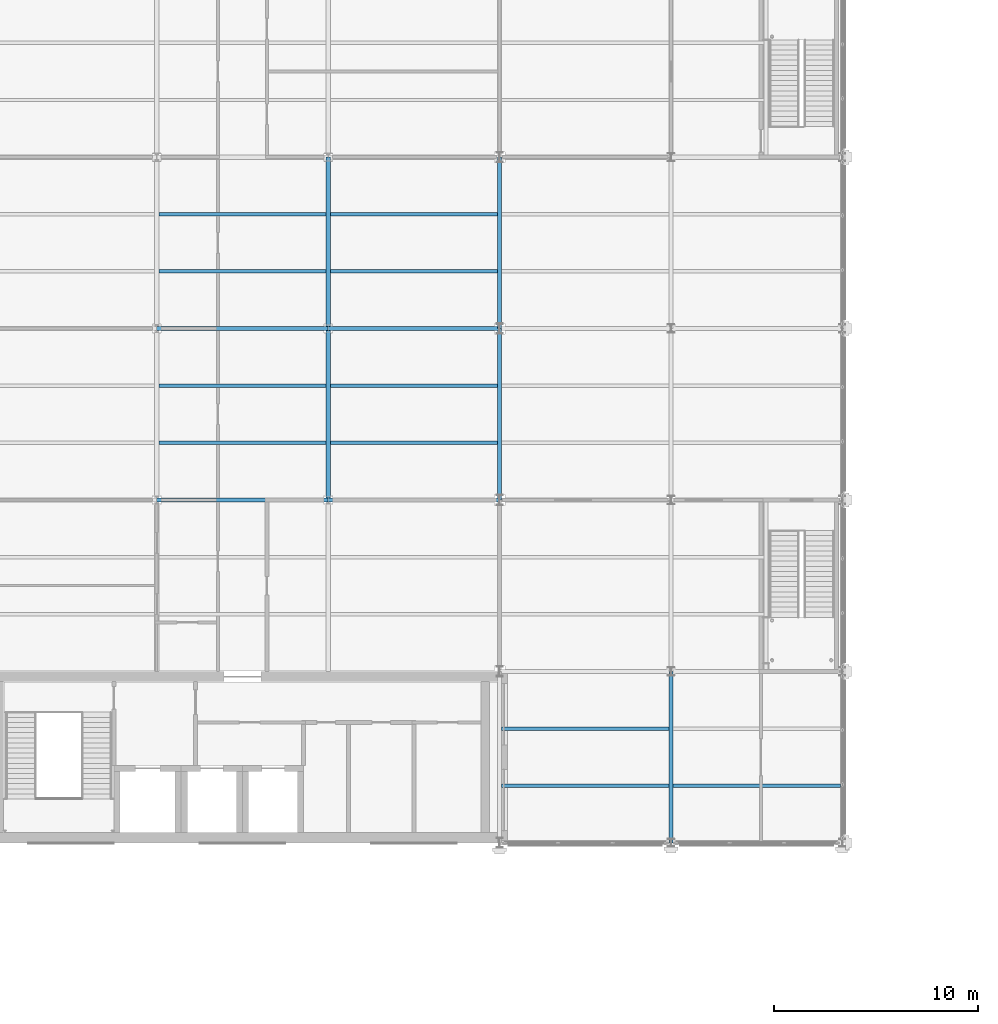
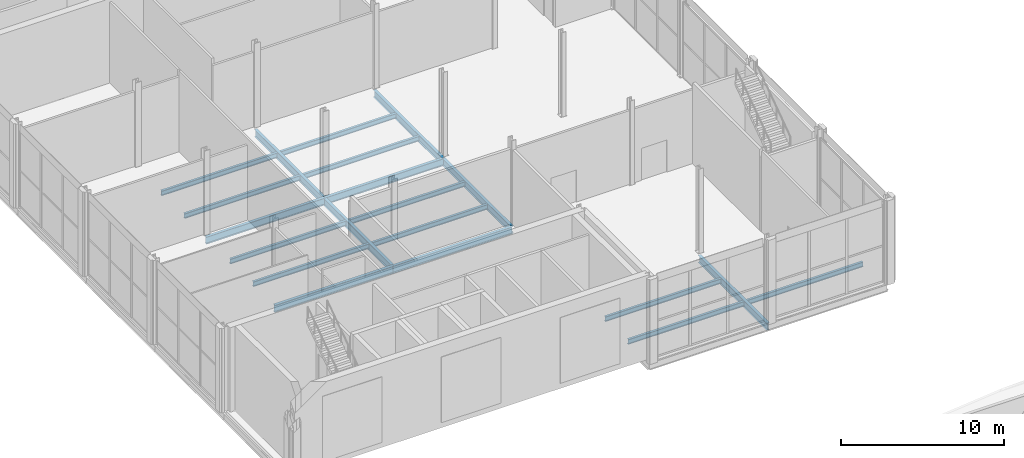
# One storey, part 30 of 77: 20 beams.
"""IFC4 building model written with IfcOpenShell, lengths in metres."""

from ifc_helpers import new_model, si_unit, direction, frame, origin, origin_2d, place, context, subcontext, project, spatial, i_section, extrude, material, material_profile, profile_set, type_object, element, save


model = new_model("IFC4")

# Units and contexts
model_context = context("Model", 3, precision=1e-05, world=origin(), true_north=direction((0.0, 1.0)))
body_context = subcontext(model_context, "Body", "Model", "MODEL_VIEW")
ifc_project = project(units=[si_unit("LENGTHUNIT", "METRE"), si_unit("AREAUNIT", "SQUARE_METRE"), si_unit("VOLUMEUNIT", "CUBIC_METRE"), si_unit("PLANEANGLEUNIT", "RADIAN"), si_unit("MASSUNIT", "GRAM", prefix="KILO")], contexts=[model_context])

# Site, building, storey
site_placement = place(None, origin())
site = spatial("IfcSite", under=ifc_project, at=site_placement, CompositionType="ELEMENT")
building_placement = place(site_placement, origin())
building = spatial("IfcBuilding", under=site, at=building_placement, Name="Catenary Quay Ferry Terminal", CompositionType="ELEMENT")
storey_placement = place(building_placement, frame((0.0, 0.0, 10.800048828125)))
storey = spatial("IfcBuildingStorey", under=building, at=storey_placement, Name="L02", CompositionType="ELEMENT", Elevation=10.800048828125)

# Beams
ifc_material_1 = material(Name="Steel S355", Category="steel")
ifc_material_profile_1 = material_profile(ifc_material_1, i_section(OverallWidth=0.208740234375, OverallDepth=0.5283203125, WebThickness=0.009521484375, FlangeThickness=0.01318359375, at=origin_2d()), Name="UB 533x210x82")
ifc_profile_set_1 = profile_set([ifc_material_profile_1], Name="Steel S355")
beam_type_1 = type_object("IfcBeamType", Name="B5 UB 533x210x82", PredefinedType="BEAM", material=ifc_profile_set_1)
for number, where, z_axis, x_axis, name in (
    (1, (33.60009765625, 176.39990234375, -0.51416015625), (1.0, 0.0, 0.0), (0.0, 1.0, 0.0), "Beam B5-006"),
    (2, (42.0, 176.39990234375, -0.51416015625), (1.0, 0.0, 0.0), (0.0, 1.0, 0.0), "Beam B5-007"),
    (3, (33.60009765625, 184.800048828125, -0.51416015625), (1.0, 0.0, 0.0), (0.0, 1.0, 0.0), "Beam B5-011"),
    (4, (42.0, 184.800048828125, -0.51416015625), (1.0, 0.0, 0.0), (0.0, 1.0, 0.0), "Beam B5-012"),
):
    element("IfcBeam", number, at=place(storey_placement, frame(where, z_axis=z_axis, x_axis=x_axis)), inside=storey, type_object=beam_type_1, Name=name, PredefinedType="BEAM", context=body_context, shape_type="SweptSolid", body=[
        extrude(i_section(OverallWidth=0.208740234375, OverallDepth=0.5283203125, WebThickness=0.009521484375, FlangeThickness=0.01318359375, at=origin_2d()), origin(), (0.0, 0.0, 1.0), 8.39990234375),
    ])
beam_1_placement = place(storey_placement, frame((50.39990234375, 176.39990234375, -0.51416015625), z_axis=(0.0, 1.0, 0.0), x_axis=(-1.0, 0.0, 0.0)))
element("IfcBeam", 5, at=beam_1_placement, inside=storey, type_object=beam_type_1, Name="Beam B5-034", PredefinedType="BEAM", context=body_context, shape_type="SweptSolid", body=[
    extrude(i_section(OverallWidth=0.208740234375, OverallDepth=0.5283203125, WebThickness=0.009521484375, FlangeThickness=0.01318359375, at=origin_2d()), origin(), (0.0, 0.0, 1.0), 8.400146484375),
])
for number, where, z_axis, x_axis, name in (
    (6, (50.39990234375, 184.800048828125, -0.51416015625), (0.0, 1.0, 0.0), (-1.0, 0.0, 0.0), "Beam B5-035"),
    (7, (58.800048828125, 159.60009765625, -0.51416015625), (0.0, 1.0, 0.0), (-1.0, 0.0, 0.0), "Beam B5-038"),
):
    element("IfcBeam", number, at=place(storey_placement, frame(where, z_axis=z_axis, x_axis=x_axis)), inside=storey, type_object=beam_type_1, Name=name, PredefinedType="BEAM", context=body_context, shape_type="SweptSolid", body=[
        extrude(i_section(OverallWidth=0.208740234375, OverallDepth=0.5283203125, WebThickness=0.009521484375, FlangeThickness=0.01318359375, at=origin_2d()), origin(), (0.0, 0.0, 1.0), 8.39990234375),
    ])
ifc_material_2 = material(Name="Steel S355", Category="steel")
ifc_material_profile_2 = material_profile(ifc_material_2, i_section(OverallWidth=0.2099609375, OverallDepth=0.550048828125, WebThickness=0.010986328125, FlangeThickness=0.01708984375, at=origin_2d()), Name="IPE 550")
ifc_profile_set_2 = profile_set([ifc_material_profile_2], Name="Steel S355")
beam_type_2 = type_object("IfcBeamType", Name="B6 IPE 550", PredefinedType="BEAM", material=ifc_profile_set_2)
beam_2_placement = place(storey_placement, frame((42.0, 176.39990234375, -0.525146484375), z_axis=(0.0, 1.0, 0.0), x_axis=(-1.0, 0.0, 0.0)))
element("IfcBeam", 8, at=beam_2_placement, inside=storey, type_object=beam_type_2, Name="Beam B6-006", PredefinedType="BEAM", context=body_context, shape_type="SweptSolid", body=[
    extrude(i_section(OverallWidth=0.2099609375, OverallDepth=0.550048828125, WebThickness=0.010986328125, FlangeThickness=0.01708984375, at=origin_2d()), origin(), (0.0, 0.0, 1.0), 8.400146484375),
])
beam_3_placement = place(storey_placement, frame((42.0, 184.800048828125, -0.525146484375), z_axis=(0.0, 1.0, 0.0), x_axis=(-1.0, 0.0, 0.0)))
element("IfcBeam", 9, at=beam_3_placement, inside=storey, type_object=beam_type_2, Name="Beam B6-007", PredefinedType="BEAM", context=body_context, shape_type="SweptSolid", body=[
    extrude(i_section(OverallWidth=0.2099609375, OverallDepth=0.550048828125, WebThickness=0.010986328125, FlangeThickness=0.01708984375, at=origin_2d()), origin(), (0.0, 0.0, 1.0), 8.39990234375),
])
ifc_material_3 = material(Name="Steel S355", Category="steel")
ifc_material_profile_3 = material_profile(ifc_material_3, i_section(OverallWidth=0.169921875, OverallDepth=0.360107421875, WebThickness=0.008056640625, FlangeThickness=0.0126953125, at=origin_2d()), Name="IPE 360")
ifc_profile_set_3 = profile_set([ifc_material_profile_3], Name="Steel S355")
beam_type_3 = type_object("IfcBeamType", Name="B7 IPE 360", PredefinedType="BEAM", material=ifc_profile_set_3)
beam_4_placement = place(storey_placement, frame((50.50390625, 162.39990234375, -0.429931640625), z_axis=(1.0, 0.0, 0.0), x_axis=(0.0, 1.0, 0.0)))
element("IfcBeam", 10, at=beam_4_placement, inside=storey, type_object=beam_type_3, Name="Beam B7-001", PredefinedType="BEAM", context=body_context, shape_type="SweptSolid", body=[
    extrude(i_section(OverallWidth=0.169921875, OverallDepth=0.360107421875, WebThickness=0.008056640625, FlangeThickness=0.0126953125, at=origin_2d()), origin(), (0.0, 0.0, 1.0), 8.192138671875),
])
beam_5_placement = place(storey_placement, frame((58.904052734375, 162.39990234375, -0.429931640625), z_axis=(1.0, 0.0, 0.0), x_axis=(0.0, 1.0, 0.0)))
element("IfcBeam", 11, at=beam_5_placement, inside=storey, type_object=beam_type_3, Name="Beam B7-002", PredefinedType="BEAM", context=body_context, shape_type="SweptSolid", body=[
    extrude(i_section(OverallWidth=0.169921875, OverallDepth=0.360107421875, WebThickness=0.008056640625, FlangeThickness=0.0126953125, at=origin_2d()), origin(), (0.0, 0.0, 1.0), 8.19189453125),
])
beam_6_placement = place(storey_placement, frame((50.50390625, 165.199951171875, -0.429931640625), z_axis=(1.0, 0.0, 0.0), x_axis=(0.0, 1.0, 0.0)))
element("IfcBeam", 12, at=beam_6_placement, inside=storey, type_object=beam_type_3, Name="Beam B7-003", PredefinedType="BEAM", context=body_context, shape_type="SweptSolid", body=[
    extrude(i_section(OverallWidth=0.169921875, OverallDepth=0.360107421875, WebThickness=0.008056640625, FlangeThickness=0.0126953125, at=origin_2d()), origin(), (0.0, 0.0, 1.0), 8.192138671875),
])
beam_7_placement = place(storey_placement, frame((33.705078125, 179.199951171875, -0.429931640625), z_axis=(1.0, 0.0, 0.0), x_axis=(0.0, 1.0, 0.0)))
element("IfcBeam", 13, at=beam_7_placement, inside=storey, type_object=beam_type_3, Name="Beam B7-016", PredefinedType="BEAM", context=body_context, shape_type="SweptSolid", body=[
    extrude(i_section(OverallWidth=0.169921875, OverallDepth=0.360107421875, WebThickness=0.008056640625, FlangeThickness=0.0126953125, at=origin_2d()), origin(), (0.0, 0.0, 1.0), 8.18994140625),
])
beam_8_placement = place(storey_placement, frame((42.10498046875, 179.199951171875, -0.429931640625), z_axis=(1.0, 0.0, 0.0), x_axis=(0.0, 1.0, 0.0)))
element("IfcBeam", 14, at=beam_8_placement, inside=storey, type_object=beam_type_3, Name="Beam B7-017", PredefinedType="BEAM", context=body_context, shape_type="SweptSolid", body=[
    extrude(i_section(OverallWidth=0.169921875, OverallDepth=0.360107421875, WebThickness=0.008056640625, FlangeThickness=0.0126953125, at=origin_2d()), origin(), (0.0, 0.0, 1.0), 8.19091796875),
])
beam_9_placement = place(storey_placement, frame((33.705078125, 182.0, -0.429931640625), z_axis=(1.0, 0.0, 0.0), x_axis=(0.0, 1.0, 0.0)))
element("IfcBeam", 15, at=beam_9_placement, inside=storey, type_object=beam_type_3, Name="Beam B7-021", PredefinedType="BEAM", context=body_context, shape_type="SweptSolid", body=[
    extrude(i_section(OverallWidth=0.169921875, OverallDepth=0.360107421875, WebThickness=0.008056640625, FlangeThickness=0.0126953125, at=origin_2d()), origin(), (0.0, 0.0, 1.0), 8.18994140625),
])
beam_10_placement = place(storey_placement, frame((42.10498046875, 182.0, -0.429931640625), z_axis=(1.0, 0.0, 0.0), x_axis=(0.0, 1.0, 0.0)))
element("IfcBeam", 16, at=beam_10_placement, inside=storey, type_object=beam_type_3, Name="Beam B7-022", PredefinedType="BEAM", context=body_context, shape_type="SweptSolid", body=[
    extrude(i_section(OverallWidth=0.169921875, OverallDepth=0.360107421875, WebThickness=0.008056640625, FlangeThickness=0.0126953125, at=origin_2d()), origin(), (0.0, 0.0, 1.0), 8.19091796875),
])
beam_11_placement = place(storey_placement, frame((33.705078125, 187.60009765625, -0.429931640625), z_axis=(1.0, 0.0, 0.0), x_axis=(0.0, 1.0, 0.0)))
element("IfcBeam", 17, at=beam_11_placement, inside=storey, type_object=beam_type_3, Name="Beam B7-026", PredefinedType="BEAM", context=body_context, shape_type="SweptSolid", body=[
    extrude(i_section(OverallWidth=0.169921875, OverallDepth=0.360107421875, WebThickness=0.008056640625, FlangeThickness=0.0126953125, at=origin_2d()), origin(), (0.0, 0.0, 1.0), 8.18994140625),
])
beam_12_placement = place(storey_placement, frame((42.10498046875, 187.60009765625, -0.429931640625), z_axis=(1.0, 0.0, 0.0), x_axis=(0.0, 1.0, 0.0)))
element("IfcBeam", 18, at=beam_12_placement, inside=storey, type_object=beam_type_3, Name="Beam B7-027", PredefinedType="BEAM", context=body_context, shape_type="SweptSolid", body=[
    extrude(i_section(OverallWidth=0.169921875, OverallDepth=0.360107421875, WebThickness=0.008056640625, FlangeThickness=0.0126953125, at=origin_2d()), origin(), (0.0, 0.0, 1.0), 8.19091796875),
])
beam_13_placement = place(storey_placement, frame((33.705078125, 190.39990234375, -0.429931640625), z_axis=(1.0, 0.0, 0.0), x_axis=(0.0, 1.0, 0.0)))
element("IfcBeam", 19, at=beam_13_placement, inside=storey, type_object=beam_type_3, Name="Beam B7-031", PredefinedType="BEAM", context=body_context, shape_type="SweptSolid", body=[
    extrude(i_section(OverallWidth=0.169921875, OverallDepth=0.360107421875, WebThickness=0.008056640625, FlangeThickness=0.0126953125, at=origin_2d()), origin(), (0.0, 0.0, 1.0), 8.18994140625),
])
beam_14_placement = place(storey_placement, frame((42.10498046875, 190.39990234375, -0.429931640625), z_axis=(1.0, 0.0, 0.0), x_axis=(0.0, 1.0, 0.0)))
element("IfcBeam", 20, at=beam_14_placement, inside=storey, type_object=beam_type_3, Name="Beam B7-032", PredefinedType="BEAM", context=body_context, shape_type="SweptSolid", body=[
    extrude(i_section(OverallWidth=0.169921875, OverallDepth=0.360107421875, WebThickness=0.008056640625, FlangeThickness=0.0126953125, at=origin_2d()), origin(), (0.0, 0.0, 1.0), 8.19091796875),
])

save(model, "model.ifc")
